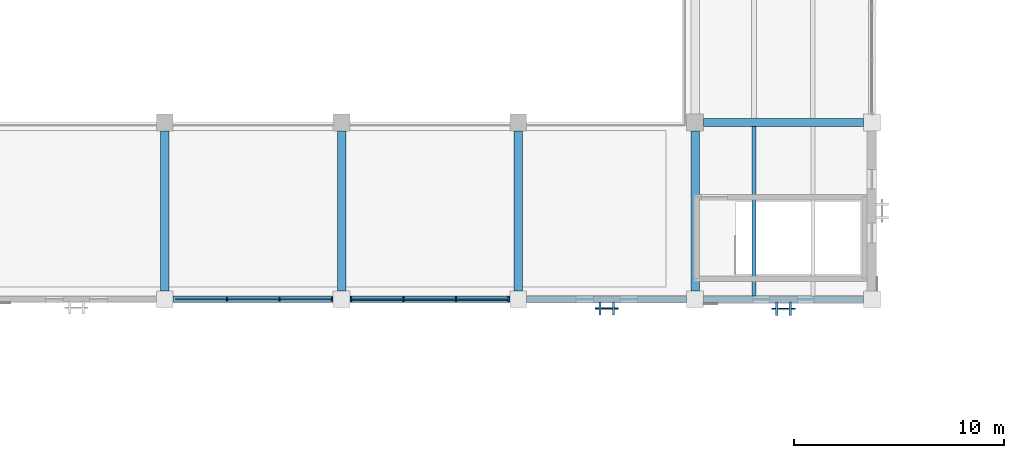
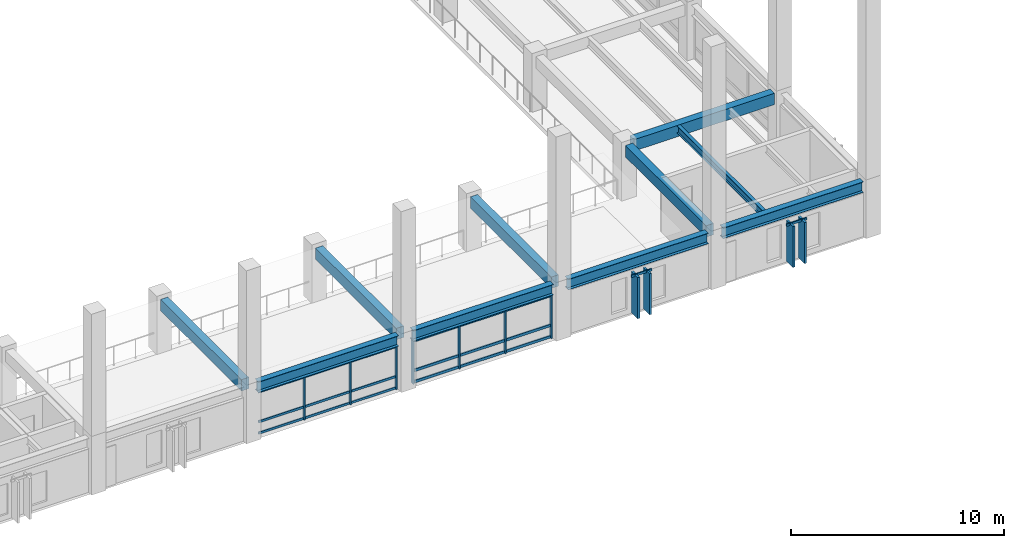
# One storey, part 4 of 64: 31 members, 10 beams, 4 elements without a shape of their own.
"""IFC4 building model written with IfcOpenShell, lengths in metres."""

from ifc_helpers import new_model, si_unit, direction, frame, origin, origin_2d, place, context, subcontext, project, spatial, rectangle, i_section, extrude, material, material_profile, profile_set, type_object, element, aggregate, save


model = new_model("IFC4")

# Units and contexts
model_context = context("Model", 3, precision=1e-05, world=origin(), true_north=direction((0.0, 1.0)))
body_context = subcontext(model_context, "Body", "Model", "MODEL_VIEW")
ifc_project = project(units=[si_unit("LENGTHUNIT", "METRE"), si_unit("AREAUNIT", "SQUARE_METRE"), si_unit("VOLUMEUNIT", "CUBIC_METRE"), si_unit("PLANEANGLEUNIT", "RADIAN"), si_unit("MASSUNIT", "GRAM", prefix="KILO")], contexts=[model_context])

# Site, building, storey
site_placement = place(None, origin())
site = spatial("IfcSite", under=ifc_project, at=site_placement, CompositionType="ELEMENT")
building_placement = place(site_placement, origin())
building = spatial("IfcBuilding", under=site, at=building_placement, Name="Cumbredor Promenade Congress Hotel", CompositionType="ELEMENT")
storey_placement = place(building_placement, frame((0.0, 0.0, 18.47998046875)))
storey = spatial("IfcBuildingStorey", under=building, at=storey_placement, Name="L05", CompositionType="ELEMENT", Elevation=18.47998046875)

# Beams
ifc_material_1 = material(Name="Concrete C40/50", Category="concrete")
ifc_material_profile_1 = material_profile(ifc_material_1, rectangle(XDim=0.39990234375, YDim=0.64990234375, at=origin_2d()), Name="RC BEAM 400x650")
ifc_profile_set_1 = profile_set([ifc_material_profile_1], Name="Concrete C40/50")
beam_type_1 = type_object("IfcBeamType", Name="BM-RC-400x650", PredefinedType="BEAM", material=ifc_profile_set_1)
for number, where, z_axis, x_axis, name in (
    (1, (33.60009765625, 8.800048828125, 2.794921875), (0.0, 1.0, 0.0), (-1.0, 0.0, 0.0), "L06 Y-Grid Beam 058"),
    (2, (42.0, 8.800048828125, 2.794921875), (0.0, 1.0, 0.0), (-1.0, 0.0, 0.0), "L06 Y-Grid Beam 069"),
    (3, (50.39990234375, 8.800048828125, 2.794921875), (0.0, 1.0, 0.0), (-1.0, 0.0, 0.0), "L06 Y-Grid Beam 080"),
    (4, (58.800048828125, 8.800048828125, 2.794921875), (0.0, 1.0, 0.0), (-1.0, 0.0, 0.0), "L06 Y-Grid Beam 092"),
):
    element("IfcBeam", number, at=place(storey_placement, frame(where, z_axis=z_axis, x_axis=x_axis)), inside=storey, type_object=beam_type_1, Name=name, PredefinedType="BEAM", context=body_context, shape_type="SweptSolid", body=[
        extrude(rectangle(XDim=0.39990234375, YDim=0.64990234375, at=origin_2d()), origin(), (0.0, 0.0, 1.0), 7.599853515625),
    ])
beam_1_placement = place(storey_placement, frame((59.199951171875, 16.800048828125, 2.794921875), z_axis=(1.0, 0.0, 0.0), x_axis=(0.0, 1.0, 0.0)))
element("IfcBeam", 5, at=beam_1_placement, inside=storey, type_object=beam_type_1, Name="L06 X-Grid Beam 093", PredefinedType="BEAM", context=body_context, shape_type="SweptSolid", body=[
    extrude(rectangle(XDim=0.39990234375, YDim=0.64990234375, at=origin_2d()), origin(), (0.0, 0.0, 1.0), 7.60009765625),
])
ifc_material_2 = material(Name="Steel ASTM A992 Grade 50", Category="steel")
ifc_material_profile_2 = material_profile(ifc_material_2, i_section(OverallWidth=0.323974609375, OverallDepth=0.611083984375, WebThickness=0.0126953125, FlangeThickness=0.01904296875, at=origin_2d()), Name="W24X104")
ifc_profile_set_2 = profile_set([ifc_material_profile_2], Name="Steel ASTM A992 Grade 50")
beam_type_2 = type_object("IfcBeamType", Name="BM-W24X104", PredefinedType="BEAM", material=ifc_profile_set_2)
for number, where, z_axis, x_axis, name in (
    (6, (34.0, 8.39990234375, 2.814453125), (1.0, 0.0, 0.0), (0.0, 1.0, 0.0), "L06 X-Grid Beam 057"),
    (7, (42.39990234375, 8.39990234375, 2.814453125), (1.0, 0.0, 0.0), (0.0, 1.0, 0.0), "L06 X-Grid Beam 068"),
):
    element("IfcBeam", number, at=place(storey_placement, frame(where, z_axis=z_axis, x_axis=x_axis)), inside=storey, type_object=beam_type_2, Name=name, PredefinedType="BEAM", context=body_context, shape_type="SweptSolid", body=[
        extrude(i_section(OverallWidth=0.323974609375, OverallDepth=0.611083984375, WebThickness=0.0126953125, FlangeThickness=0.01904296875, at=origin_2d()), origin(), (0.0, 0.0, 1.0), 7.60009765625),
    ])
beam_2_placement = place(storey_placement, frame((50.800048828125, 8.39990234375, 2.814453125), z_axis=(1.0, 0.0, 0.0), x_axis=(0.0, 1.0, 0.0)))
element("IfcBeam", 8, at=beam_2_placement, inside=storey, type_object=beam_type_2, Name="L06 X-Grid Beam 079", PredefinedType="BEAM", context=body_context, shape_type="SweptSolid", body=[
    extrude(i_section(OverallWidth=0.323974609375, OverallDepth=0.611083984375, WebThickness=0.0126953125, FlangeThickness=0.01904296875, at=origin_2d()), origin(), (0.0, 0.0, 1.0), 7.599853515625),
])
beam_3_placement = place(storey_placement, frame((59.199951171875, 8.39990234375, 2.814453125), z_axis=(1.0, 0.0, 0.0), x_axis=(0.0, 1.0, 0.0)))
element("IfcBeam", 9, at=beam_3_placement, inside=storey, type_object=beam_type_2, Name="L06 X-Grid Beam 091", PredefinedType="BEAM", context=body_context, shape_type="SweptSolid", body=[
    extrude(i_section(OverallWidth=0.323974609375, OverallDepth=0.611083984375, WebThickness=0.0126953125, FlangeThickness=0.01904296875, at=origin_2d()), origin(), (0.0, 0.0, 1.0), 7.60009765625),
])

# Curtain wall, members
ifc_material_3 = material(Name="Thermally broken anodized aluminium and low-E glass", Category="aluminium")
curtain_wall_type_1 = type_object("IfcCurtainWallType", Name="Unitised Bronze Curtain Wall CW-01", PredefinedType="NOTDEFINED", material=ifc_material_3)
curtain_wall_1_placement = place(storey_placement, origin())
curtain_wall_1 = element("IfcCurtainWall", 10, at=curtain_wall_1_placement, inside=storey, type_object=curtain_wall_type_1, Name="L05 Plenary Congress Hall South Curtain Wall 4", PredefinedType="NOTDEFINED")
ifc_material_4 = material(Name="Thermally broken anodized aluminium", Category="aluminium")
ifc_material_profile_3 = material_profile(ifc_material_4, rectangle(XDim=0.06494140625, YDim=0.159912109375, at=origin_2d()), Name="ALU MULLION 65x160")
ifc_profile_set_3 = profile_set([ifc_material_profile_3], Name="Thermally broken anodized aluminium")
member_type_1 = type_object("IfcMemberType", Name="Curtain Wall Mullion ML-01", PredefinedType="MULLION", material=ifc_profile_set_3)
member_1_placement = place(storey_placement, frame((36.5517578125, 8.39990234375, -0.008056640625), z_axis=(0.0, 0.0, 1.0), x_axis=(1.0, 0.0, 0.0)))
member_1 = element("IfcMember", 11, at=member_1_placement, type_object=member_type_1, Name="L05 Plenary Congress Hall South Curtain Wall 4 Mullion 2", PredefinedType="MULLION", context=body_context, shape_type="SweptSolid", body=[
    extrude(rectangle(XDim=0.06494140625, YDim=0.159912109375, at=origin_2d()), origin(), (0.0, 0.0, 1.0), 2.510009765625),
])
member_2_placement = place(storey_placement, frame((39.04833984375, 8.39990234375, -0.008056640625), z_axis=(0.0, 0.0, 1.0), x_axis=(1.0, 0.0, 0.0)))
member_2 = element("IfcMember", 12, at=member_2_placement, type_object=member_type_1, Name="L05 Plenary Congress Hall South Curtain Wall 4 Mullion 3", PredefinedType="MULLION", context=body_context, shape_type="SweptSolid", body=[
    extrude(rectangle(XDim=0.06494140625, YDim=0.159912109375, at=origin_2d()), origin(), (0.0, 0.0, 1.0), 2.510009765625),
])
member_3_placement = place(storey_placement, frame((41.544921875, 8.39990234375, -0.008056640625), z_axis=(0.0, 0.0, 1.0), x_axis=(1.0, 0.0, 0.0)))
member_3 = element("IfcMember", 13, at=member_3_placement, type_object=member_type_1, Name="L05 Plenary Congress Hall South Curtain Wall 4 Mullion 4", PredefinedType="MULLION", context=body_context, shape_type="SweptSolid", body=[
    extrude(rectangle(XDim=0.06494140625, YDim=0.159912109375, at=origin_2d()), origin(), (0.0, 0.0, 1.0), 2.510009765625),
])

curtain_wall_2_placement = place(storey_placement, origin())
curtain_wall_2 = element("IfcCurtainWall", 14, at=curtain_wall_2_placement, inside=storey, type_object=curtain_wall_type_1, Name="L05 Plenary Congress Hall South Curtain Wall 5", PredefinedType="NOTDEFINED")
ifc_material_profile_4 = material_profile(ifc_material_4, rectangle(XDim=0.074951171875, YDim=0.199951171875, at=origin_2d()), Name="ALU MULLION 75x200")
ifc_profile_set_4 = profile_set([ifc_material_profile_4], Name="Thermally broken anodized aluminium")
member_type_2 = type_object("IfcMemberType", Name="Curtain Wall Mullion ML-02", PredefinedType="MULLION", material=ifc_profile_set_4)
member_4_placement = place(storey_placement, frame((42.455078125, 8.39990234375, -0.008056640625), z_axis=(0.0, 0.0, 1.0), x_axis=(1.0, 0.0, 0.0)))
member_4 = element("IfcMember", 15, at=member_4_placement, type_object=member_type_2, Name="L05 Plenary Congress Hall South Curtain Wall 5 Mullion 1", PredefinedType="MULLION", context=body_context, shape_type="SweptSolid", body=[
    extrude(rectangle(XDim=0.074951171875, YDim=0.199951171875, at=origin_2d()), origin(), (0.0, 0.0, 1.0), 2.510009765625),
])
member_5_placement = place(storey_placement, frame((44.95166015625, 8.39990234375, -0.008056640625), z_axis=(0.0, 0.0, 1.0), x_axis=(1.0, 0.0, 0.0)))
member_5 = element("IfcMember", 16, at=member_5_placement, type_object=member_type_2, Name="L05 Plenary Congress Hall South Curtain Wall 5 Mullion 2", PredefinedType="MULLION", context=body_context, shape_type="SweptSolid", body=[
    extrude(rectangle(XDim=0.074951171875, YDim=0.199951171875, at=origin_2d()), origin(), (0.0, 0.0, 1.0), 2.510009765625),
])
member_6_placement = place(storey_placement, frame((47.4482421875, 8.39990234375, -0.008056640625), z_axis=(0.0, 0.0, 1.0), x_axis=(1.0, 0.0, 0.0)))
member_6 = element("IfcMember", 17, at=member_6_placement, type_object=member_type_2, Name="L05 Plenary Congress Hall South Curtain Wall 5 Mullion 3", PredefinedType="MULLION", context=body_context, shape_type="SweptSolid", body=[
    extrude(rectangle(XDim=0.074951171875, YDim=0.199951171875, at=origin_2d()), origin(), (0.0, 0.0, 1.0), 2.510009765625),
])
member_7_placement = place(storey_placement, frame((49.945068359375, 8.39990234375, -0.008056640625), z_axis=(0.0, 0.0, 1.0), x_axis=(1.0, 0.0, 0.0)))
member_7 = element("IfcMember", 18, at=member_7_placement, type_object=member_type_2, Name="L05 Plenary Congress Hall South Curtain Wall 5 Mullion 4", PredefinedType="MULLION", context=body_context, shape_type="SweptSolid", body=[
    extrude(rectangle(XDim=0.074951171875, YDim=0.199951171875, at=origin_2d()), origin(), (0.0, 0.0, 1.0), 2.510009765625),
])

# Member
ifc_material_profile_5 = material_profile(ifc_material_4, rectangle(XDim=0.06494140625, YDim=0.1298828125, at=origin_2d()), Name="ALU TRANSOM 65x130")
ifc_profile_set_5 = profile_set([ifc_material_profile_5], Name="Thermally broken anodized aluminium")
member_type_3 = type_object("IfcMemberType", Name="Curtain Wall Transom TR-01", PredefinedType="USERDEFINED", material=ifc_profile_set_5)
member_8_placement = place(storey_placement, frame((34.08740234375, 8.39990234375, 0.070068359375), z_axis=(1.0, 0.0, 0.0), x_axis=(0.0, 1.0, 0.0)))
member_8 = element("IfcMember", 19, at=member_8_placement, type_object=member_type_3, Name="L05 Plenary Congress Hall South Curtain Wall 4 Transom 1.1", ObjectType="TRANSOM", PredefinedType="USERDEFINED", context=body_context, shape_type="SweptSolid", body=[
    extrude(rectangle(XDim=0.06494140625, YDim=0.1298828125, at=origin_2d()), origin(), (0.0, 0.0, 1.0), 2.431884765625),
])

member_9_placement = place(storey_placement, frame((34.08740234375, 8.39990234375, 0.719970703125), z_axis=(1.0, 0.0, 0.0), x_axis=(0.0, 1.0, 0.0)))
member_9 = element("IfcMember", 20, at=member_9_placement, type_object=member_type_3, Name="L05 Plenary Congress Hall South Curtain Wall 4 Transom 1.2", ObjectType="TRANSOM", PredefinedType="USERDEFINED", context=body_context, shape_type="SweptSolid", body=[
    extrude(rectangle(XDim=0.06494140625, YDim=0.1298828125, at=origin_2d()), origin(), (0.0, 0.0, 1.0), 2.431884765625),
])

member_10_placement = place(storey_placement, frame((34.08740234375, 8.39990234375, 2.429931640625), z_axis=(1.0, 0.0, 0.0), x_axis=(0.0, 1.0, 0.0)))
member_10 = element("IfcMember", 21, at=member_10_placement, type_object=member_type_3, Name="L05 Plenary Congress Hall South Curtain Wall 4 Transom 1.3", ObjectType="TRANSOM", PredefinedType="USERDEFINED", context=body_context, shape_type="SweptSolid", body=[
    extrude(rectangle(XDim=0.06494140625, YDim=0.1298828125, at=origin_2d()), origin(), (0.0, 0.0, 1.0), 2.431884765625),
])

member_11_placement = place(storey_placement, frame((36.584228515625, 8.39990234375, 0.070068359375), z_axis=(1.0, 0.0, 0.0), x_axis=(0.0, 1.0, 0.0)))
member_11 = element("IfcMember", 22, at=member_11_placement, type_object=member_type_3, Name="L05 Plenary Congress Hall South Curtain Wall 4 Transom 2.1", ObjectType="TRANSOM", PredefinedType="USERDEFINED", context=body_context, shape_type="SweptSolid", body=[
    extrude(rectangle(XDim=0.06494140625, YDim=0.1298828125, at=origin_2d()), origin(), (0.0, 0.0, 1.0), 2.431640625),
])

member_12_placement = place(storey_placement, frame((36.584228515625, 8.39990234375, 0.719970703125), z_axis=(1.0, 0.0, 0.0), x_axis=(0.0, 1.0, 0.0)))
member_12 = element("IfcMember", 23, at=member_12_placement, type_object=member_type_3, Name="L05 Plenary Congress Hall South Curtain Wall 4 Transom 2.2", ObjectType="TRANSOM", PredefinedType="USERDEFINED", context=body_context, shape_type="SweptSolid", body=[
    extrude(rectangle(XDim=0.06494140625, YDim=0.1298828125, at=origin_2d()), origin(), (0.0, 0.0, 1.0), 2.431640625),
])

member_13_placement = place(storey_placement, frame((36.584228515625, 8.39990234375, 2.429931640625), z_axis=(1.0, 0.0, 0.0), x_axis=(0.0, 1.0, 0.0)))
member_13 = element("IfcMember", 24, at=member_13_placement, type_object=member_type_3, Name="L05 Plenary Congress Hall South Curtain Wall 4 Transom 2.3", ObjectType="TRANSOM", PredefinedType="USERDEFINED", context=body_context, shape_type="SweptSolid", body=[
    extrude(rectangle(XDim=0.06494140625, YDim=0.1298828125, at=origin_2d()), origin(), (0.0, 0.0, 1.0), 2.431640625),
])

member_14_placement = place(storey_placement, frame((39.080810546875, 8.39990234375, 0.070068359375), z_axis=(1.0, 0.0, 0.0), x_axis=(0.0, 1.0, 0.0)))
member_14 = element("IfcMember", 25, at=member_14_placement, type_object=member_type_3, Name="L05 Plenary Congress Hall South Curtain Wall 4 Transom 3.1", ObjectType="TRANSOM", PredefinedType="USERDEFINED", context=body_context, shape_type="SweptSolid", body=[
    extrude(rectangle(XDim=0.06494140625, YDim=0.1298828125, at=origin_2d()), origin(), (0.0, 0.0, 1.0), 2.431640625),
])

member_15_placement = place(storey_placement, frame((39.080810546875, 8.39990234375, 0.719970703125), z_axis=(1.0, 0.0, 0.0), x_axis=(0.0, 1.0, 0.0)))
member_15 = element("IfcMember", 26, at=member_15_placement, type_object=member_type_3, Name="L05 Plenary Congress Hall South Curtain Wall 4 Transom 3.2", ObjectType="TRANSOM", PredefinedType="USERDEFINED", context=body_context, shape_type="SweptSolid", body=[
    extrude(rectangle(XDim=0.06494140625, YDim=0.1298828125, at=origin_2d()), origin(), (0.0, 0.0, 1.0), 2.431640625),
])

member_16_placement = place(storey_placement, frame((39.080810546875, 8.39990234375, 2.429931640625), z_axis=(1.0, 0.0, 0.0), x_axis=(0.0, 1.0, 0.0)))
member_16 = element("IfcMember", 27, at=member_16_placement, type_object=member_type_3, Name="L05 Plenary Congress Hall South Curtain Wall 4 Transom 3.3", ObjectType="TRANSOM", PredefinedType="USERDEFINED", context=body_context, shape_type="SweptSolid", body=[
    extrude(rectangle(XDim=0.06494140625, YDim=0.1298828125, at=origin_2d()), origin(), (0.0, 0.0, 1.0), 2.431640625),
])

aggregate(curtain_wall_1, [member_1, member_2, member_3, member_8, member_9, member_10, member_11, member_12, member_13, member_14, member_15, member_16])

# Curtain wall, member
curtain_wall_type_2 = type_object("IfcCurtainWallType", Name="Solar Brise-Soleil Screen Assembly CW-07", PredefinedType="NOTDEFINED", material=ifc_material_3)
curtain_wall_3_placement = place(storey_placement, origin())
curtain_wall_3 = element("IfcCurtainWall", 28, at=curtain_wall_3_placement, inside=storey, type_object=curtain_wall_type_2, Name="L05 Pier Brise-Soleil Screen 0814", PredefinedType="NOTDEFINED")
member_17_placement = place(storey_placement, frame((54.050048828125, 7.965087890625, 2.333984375), z_axis=(1.0, 0.0, 0.0), x_axis=(0.0, 1.0, 0.0)))
member_17 = element("IfcMember", 29, at=member_17_placement, type_object=member_type_3, Name="L05 Pier Brise-Soleil Header 0816", ObjectType="TRANSOM", PredefinedType="USERDEFINED", context=body_context, shape_type="SweptSolid", body=[
    extrude(rectangle(XDim=0.06494140625, YDim=0.1298828125, at=origin_2d()), origin(), (0.0, 0.0, 1.0), 1.099853515625),
])

curtain_wall_4_placement = place(storey_placement, origin())
curtain_wall_4 = element("IfcCurtainWall", 30, at=curtain_wall_4_placement, inside=storey, type_object=curtain_wall_type_2, Name="L05 Pier Brise-Soleil Screen 0817", PredefinedType="NOTDEFINED")
member_18_placement = place(storey_placement, frame((62.449951171875, 7.949951171875, 2.333984375), z_axis=(1.0, 0.0, 0.0), x_axis=(0.0, 1.0, 0.0)))
member_18 = element("IfcMember", 31, at=member_18_placement, type_object=member_type_3, Name="L05 Pier Brise-Soleil Header 0819", ObjectType="TRANSOM", PredefinedType="USERDEFINED", context=body_context, shape_type="SweptSolid", body=[
    extrude(rectangle(XDim=0.06494140625, YDim=0.1298828125, at=origin_2d()), origin(), (0.0, 0.0, 1.0), 1.10009765625),
])

# Member
ifc_material_profile_6 = material_profile(ifc_material_4, rectangle(XDim=0.074951171875, YDim=0.14990234375, at=origin_2d()), Name="ALU TRANSOM 75x150")
ifc_profile_set_6 = profile_set([ifc_material_profile_6], Name="Thermally broken anodized aluminium")
member_type_4 = type_object("IfcMemberType", Name="Curtain Wall Transom TR-02", PredefinedType="USERDEFINED", material=ifc_profile_set_6)
member_19_placement = place(storey_placement, frame((42.492431640625, 8.39990234375, 0.070068359375), z_axis=(1.0, 0.0, 0.0), x_axis=(0.0, 1.0, 0.0)))
member_19 = element("IfcMember", 32, at=member_19_placement, type_object=member_type_4, Name="L05 Plenary Congress Hall South Curtain Wall 5 Transom 1.1", ObjectType="TRANSOM", PredefinedType="USERDEFINED", context=body_context, shape_type="SweptSolid", body=[
    extrude(rectangle(XDim=0.074951171875, YDim=0.14990234375, at=origin_2d()), origin(), (0.0, 0.0, 1.0), 2.421875),
])

member_20_placement = place(storey_placement, frame((42.492431640625, 8.39990234375, 0.719970703125), z_axis=(1.0, 0.0, 0.0), x_axis=(0.0, 1.0, 0.0)))
member_20 = element("IfcMember", 33, at=member_20_placement, type_object=member_type_4, Name="L05 Plenary Congress Hall South Curtain Wall 5 Transom 1.2", ObjectType="TRANSOM", PredefinedType="USERDEFINED", context=body_context, shape_type="SweptSolid", body=[
    extrude(rectangle(XDim=0.074951171875, YDim=0.14990234375, at=origin_2d()), origin(), (0.0, 0.0, 1.0), 2.421875),
])

member_21_placement = place(storey_placement, frame((42.492431640625, 8.39990234375, 2.419921875), z_axis=(1.0, 0.0, 0.0), x_axis=(0.0, 1.0, 0.0)))
member_21 = element("IfcMember", 34, at=member_21_placement, type_object=member_type_4, Name="L05 Plenary Congress Hall South Curtain Wall 5 Transom 1.3", ObjectType="TRANSOM", PredefinedType="USERDEFINED", context=body_context, shape_type="SweptSolid", body=[
    extrude(rectangle(XDim=0.074951171875, YDim=0.14990234375, at=origin_2d()), origin(), (0.0, 0.0, 1.0), 2.421875),
])

member_22_placement = place(storey_placement, frame((44.9892578125, 8.39990234375, 0.070068359375), z_axis=(1.0, 0.0, 0.0), x_axis=(0.0, 1.0, 0.0)))
member_22 = element("IfcMember", 35, at=member_22_placement, type_object=member_type_4, Name="L05 Plenary Congress Hall South Curtain Wall 5 Transom 2.1", ObjectType="TRANSOM", PredefinedType="USERDEFINED", context=body_context, shape_type="SweptSolid", body=[
    extrude(rectangle(XDim=0.074951171875, YDim=0.14990234375, at=origin_2d()), origin(), (0.0, 0.0, 1.0), 2.421630859375),
])

member_23_placement = place(storey_placement, frame((44.9892578125, 8.39990234375, 0.719970703125), z_axis=(1.0, 0.0, 0.0), x_axis=(0.0, 1.0, 0.0)))
member_23 = element("IfcMember", 36, at=member_23_placement, type_object=member_type_4, Name="L05 Plenary Congress Hall South Curtain Wall 5 Transom 2.2", ObjectType="TRANSOM", PredefinedType="USERDEFINED", context=body_context, shape_type="SweptSolid", body=[
    extrude(rectangle(XDim=0.074951171875, YDim=0.14990234375, at=origin_2d()), origin(), (0.0, 0.0, 1.0), 2.421630859375),
])

member_24_placement = place(storey_placement, frame((44.9892578125, 8.39990234375, 2.419921875), z_axis=(1.0, 0.0, 0.0), x_axis=(0.0, 1.0, 0.0)))
member_24 = element("IfcMember", 37, at=member_24_placement, type_object=member_type_4, Name="L05 Plenary Congress Hall South Curtain Wall 5 Transom 2.3", ObjectType="TRANSOM", PredefinedType="USERDEFINED", context=body_context, shape_type="SweptSolid", body=[
    extrude(rectangle(XDim=0.074951171875, YDim=0.14990234375, at=origin_2d()), origin(), (0.0, 0.0, 1.0), 2.421630859375),
])

member_25_placement = place(storey_placement, frame((47.48583984375, 8.39990234375, 0.070068359375), z_axis=(1.0, 0.0, 0.0), x_axis=(0.0, 1.0, 0.0)))
member_25 = element("IfcMember", 38, at=member_25_placement, type_object=member_type_4, Name="L05 Plenary Congress Hall South Curtain Wall 5 Transom 3.1", ObjectType="TRANSOM", PredefinedType="USERDEFINED", context=body_context, shape_type="SweptSolid", body=[
    extrude(rectangle(XDim=0.074951171875, YDim=0.14990234375, at=origin_2d()), origin(), (0.0, 0.0, 1.0), 2.421630859375),
])

member_26_placement = place(storey_placement, frame((47.48583984375, 8.39990234375, 0.719970703125), z_axis=(1.0, 0.0, 0.0), x_axis=(0.0, 1.0, 0.0)))
member_26 = element("IfcMember", 39, at=member_26_placement, type_object=member_type_4, Name="L05 Plenary Congress Hall South Curtain Wall 5 Transom 3.2", ObjectType="TRANSOM", PredefinedType="USERDEFINED", context=body_context, shape_type="SweptSolid", body=[
    extrude(rectangle(XDim=0.074951171875, YDim=0.14990234375, at=origin_2d()), origin(), (0.0, 0.0, 1.0), 2.421630859375),
])

member_27_placement = place(storey_placement, frame((47.48583984375, 8.39990234375, 2.419921875), z_axis=(1.0, 0.0, 0.0), x_axis=(0.0, 1.0, 0.0)))
member_27 = element("IfcMember", 40, at=member_27_placement, type_object=member_type_4, Name="L05 Plenary Congress Hall South Curtain Wall 5 Transom 3.3", ObjectType="TRANSOM", PredefinedType="USERDEFINED", context=body_context, shape_type="SweptSolid", body=[
    extrude(rectangle(XDim=0.074951171875, YDim=0.14990234375, at=origin_2d()), origin(), (0.0, 0.0, 1.0), 2.421630859375),
])

aggregate(curtain_wall_2, [member_4, member_5, member_6, member_7, member_19, member_20, member_21, member_22, member_23, member_24, member_25, member_26, member_27])

# Beam
ifc_material_profile_7 = material_profile(ifc_material_2, i_section(OverallWidth=0.180908203125, OverallDepth=0.4169921875, WebThickness=0.010986328125, FlangeThickness=0.018310546875, at=origin_2d()), Name="W16X57")
ifc_profile_set_7 = profile_set([ifc_material_profile_7], Name="Steel ASTM A992 Grade 50")
beam_type_3 = type_object("IfcBeamType", Name="JST-W16X57", PredefinedType="JOIST", material=ifc_profile_set_7)
beam_4_placement = place(storey_placement, frame((61.60009765625, 8.56201171875, 2.91162109375), z_axis=(0.0, 1.0, 0.0), x_axis=(-1.0, 0.0, 0.0)))
element("IfcBeam", 41, at=beam_4_placement, inside=storey, type_object=beam_type_3, Name="L06 Secondary Floor Joist 0055", PredefinedType="JOIST", context=body_context, shape_type="SweptSolid", body=[
    extrude(i_section(OverallWidth=0.180908203125, OverallDepth=0.4169921875, WebThickness=0.010986328125, FlangeThickness=0.018310546875, at=origin_2d()), origin(), (0.0, 0.0, 1.0), 8.0380859375),
])

# Member
ifc_material_profile_8 = material_profile(ifc_material_4, rectangle(XDim=0.110107421875, YDim=0.6201171875, at=origin_2d()), Name="ARCH FIN 110x620")
ifc_profile_set_8 = profile_set([ifc_material_profile_8], Name="Thermally broken anodized aluminium")
member_type_5 = type_object("IfcMemberType", Name="Vertical Bronze Brise-Soleil Fin BSF-02 110x620", PredefinedType="USERDEFINED", material=ifc_profile_set_8)
member_28_placement = place(storey_placement, frame((54.280029296875, 7.965087890625, 0.02001953125), z_axis=(0.0, 0.0, 1.0), x_axis=(1.0, 0.0, 0.0)))
member_28 = element("IfcMember", 42, at=member_28_placement, type_object=member_type_5, Name="L05 Pier Brise-Soleil Fin 0815", ObjectType="SOLAR FIN", PredefinedType="USERDEFINED", context=body_context, shape_type="SweptSolid", body=[
    extrude(rectangle(XDim=0.110107421875, YDim=0.6201171875, at=origin_2d()), origin(), (0.0, 0.0, 1.0), 2.35400390625),
])

member_29_placement = place(storey_placement, frame((54.919921875, 7.965087890625, 0.02001953125), z_axis=(0.0, 0.0, 1.0), x_axis=(1.0, 0.0, 0.0)))
member_29 = element("IfcMember", 43, at=member_29_placement, type_object=member_type_5, Name="L05 Pier Brise-Soleil Fin 0816", ObjectType="SOLAR FIN", PredefinedType="USERDEFINED", context=body_context, shape_type="SweptSolid", body=[
    extrude(rectangle(XDim=0.110107421875, YDim=0.6201171875, at=origin_2d()), origin(), (0.0, 0.0, 1.0), 2.35400390625),
])

aggregate(curtain_wall_3, [member_28, member_29, member_17])

member_30_placement = place(storey_placement, frame((62.679931640625, 7.949951171875, 0.02001953125), z_axis=(0.0, 0.0, 1.0), x_axis=(1.0, 0.0, 0.0)))
member_30 = element("IfcMember", 44, at=member_30_placement, type_object=member_type_5, Name="L05 Pier Brise-Soleil Fin 0818", ObjectType="SOLAR FIN", PredefinedType="USERDEFINED", context=body_context, shape_type="SweptSolid", body=[
    extrude(rectangle(XDim=0.110107421875, YDim=0.6201171875, at=origin_2d()), origin(), (0.0, 0.0, 1.0), 2.35400390625),
])

member_31_placement = place(storey_placement, frame((63.320068359375, 7.949951171875, 0.02001953125), z_axis=(0.0, 0.0, 1.0), x_axis=(1.0, 0.0, 0.0)))
member_31 = element("IfcMember", 45, at=member_31_placement, type_object=member_type_5, Name="L05 Pier Brise-Soleil Fin 0819", ObjectType="SOLAR FIN", PredefinedType="USERDEFINED", context=body_context, shape_type="SweptSolid", body=[
    extrude(rectangle(XDim=0.110107421875, YDim=0.6201171875, at=origin_2d()), origin(), (0.0, 0.0, 1.0), 2.35400390625),
])

aggregate(curtain_wall_4, [member_30, member_31, member_18])

save(model, "model.ifc")
